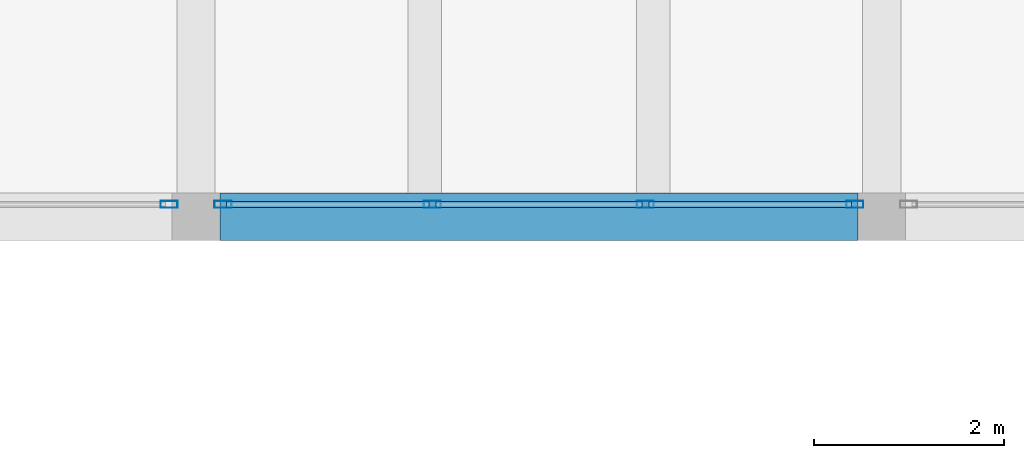
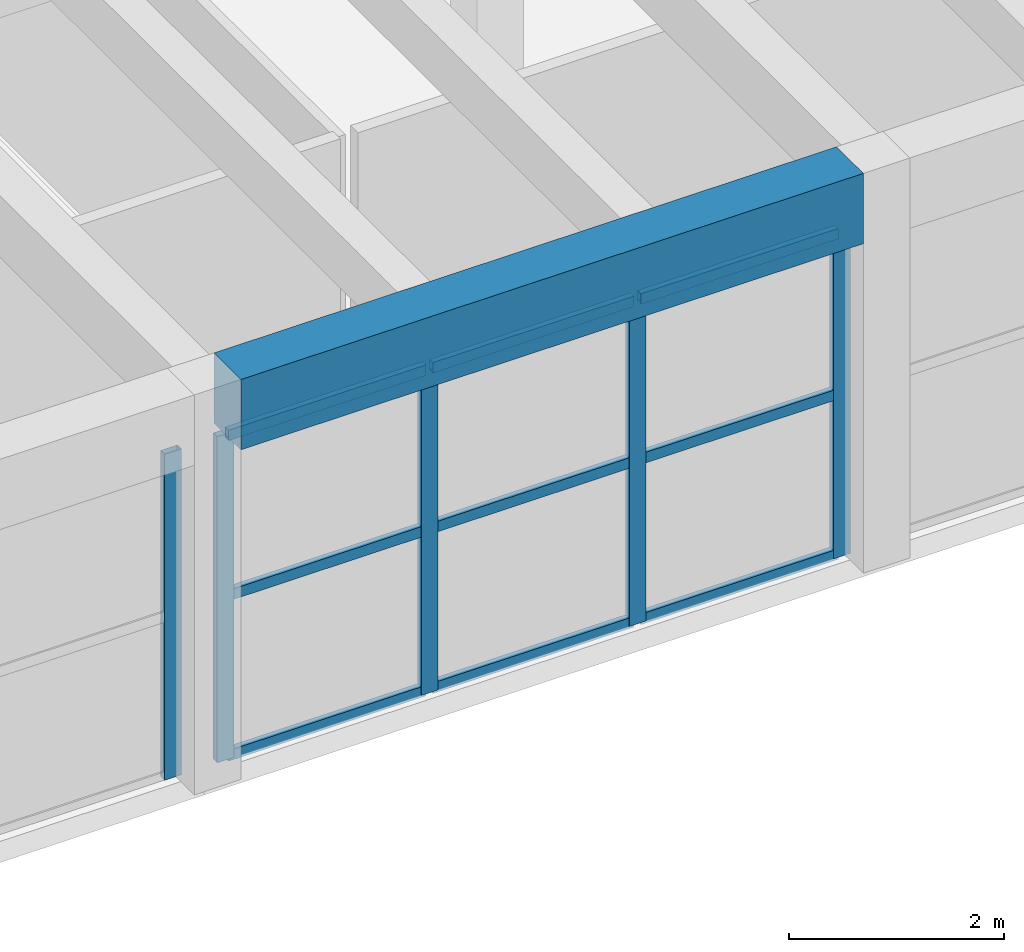
# One storey, part 41 of 153: 14 members, 1 beam, 2 elements without a shape of their own.
"""IFC4 building model written with IfcOpenShell, lengths in metres."""

from ifc_helpers import new_model, si_unit, direction, frame, origin, origin_2d, place, context, subcontext, project, spatial, rectangle, hollow_rectangle, extrude, material, material_profile, profile_set, type_object, element, aggregate, save


model = new_model("IFC4")

# Units and contexts
model_context = context("Model", 3, precision=1e-05, world=origin(), true_north=direction((0.0, 1.0)))
body_context = subcontext(model_context, "Body", "Model", "MODEL_VIEW")
ifc_project = project(units=[si_unit("LENGTHUNIT", "METRE"), si_unit("AREAUNIT", "SQUARE_METRE"), si_unit("VOLUMEUNIT", "CUBIC_METRE"), si_unit("PLANEANGLEUNIT", "RADIAN"), si_unit("MASSUNIT", "GRAM", prefix="KILO")], contexts=[model_context])

# Site, building, storey
site_placement = place(None, origin())
site = spatial("IfcSite", under=ifc_project, at=site_placement, CompositionType="ELEMENT")
building_placement = place(site_placement, origin())
building = spatial("IfcBuilding", under=site, at=building_placement, Name="Bramvelor Terrace Health Centre", CompositionType="ELEMENT")
storey_placement = place(building_placement, frame((0.0, 0.0, 4.800048828125)))
storey = spatial("IfcBuildingStorey", under=building, at=storey_placement, Name="L02", CompositionType="ELEMENT", Elevation=4.800048828125)

# Beam
ifc_material_1 = material(Name="Concrete C40/50", Category="concrete")
ifc_material_profile_1 = material_profile(ifc_material_1, rectangle(XDim=0.5, YDim=0.800048828125, at=origin_2d()), Name="RC 500x800")
ifc_profile_set_1 = profile_set([ifc_material_profile_1], Name="Concrete C40/50")
beam_type = type_object("IfcBeamType", Name="BM-RC-G800", PredefinedType="BEAM", material=ifc_profile_set_1)
beam_placement = place(storey_placement, frame((65.050048828125, 64.800048828125, 4.14990234375), z_axis=(1.0, 0.0, 0.0), x_axis=(0.0, 1.0, 0.0)))
element("IfcBeam", 1, at=beam_placement, inside=storey, type_object=beam_type, Name="L02 Floor Girder", PredefinedType="BEAM", context=body_context, shape_type="SweptSolid", body=[
    extrude(rectangle(XDim=0.5, YDim=0.800048828125, at=origin_2d()), origin(), (0.0, 0.0, 1.0), 6.699951171875),
])

# Curtain wall, members
ifc_material_2 = material(Name="Anodized aluminium and double low-E glass", Category="aluminium")
curtain_wall_type = type_object("IfcCurtainWallType", Name="CW-SYS-17", PredefinedType="NOTDEFINED", material=ifc_material_2)
curtain_wall_1_placement = place(storey_placement, origin())
curtain_wall_1 = element("IfcCurtainWall", 2, at=curtain_wall_1_placement, inside=storey, type_object=curtain_wall_type, Name="L02 Unitized Curtain Wall 141", PredefinedType="NOTDEFINED")
ifc_material_3 = material(Name="Anodized aluminium 6063-T6", Category="aluminium")
ifc_material_profile_2 = material_profile(ifc_material_3, hollow_rectangle(XDim=0.074951171875, YDim=0.179931640625, WallThickness=0.00341796875, at=origin_2d()), Name="ALU-MUL 75x180x3.5")
ifc_profile_set_2 = profile_set([ifc_material_profile_2], Name="Anodized aluminium 6063-T6")
member_type_1 = type_object("IfcMemberType", Name="CW-MUL-65x180", PredefinedType="MULLION", material=ifc_profile_set_2)
member_1_placement = place(storey_placement, frame((71.717529296875, 64.929931640625, 0.0), z_axis=(0.0, 0.0, 1.0), x_axis=(0.0, -1.0, 0.0)))
member_1 = element("IfcMember", 3, at=member_1_placement, type_object=member_type_1, Name="CW-17 mullion 1", PredefinedType="MULLION", context=body_context, shape_type="SweptSolid", body=[
    extrude(hollow_rectangle(XDim=0.074951171875, YDim=0.179931640625, WallThickness=0.00341796875, at=origin_2d()), origin(), (0.0, 0.0, 1.0), 3.7099609375),
])
member_2_placement = place(storey_placement, frame((69.518310546875, 64.929931640625, 0.0), z_axis=(0.0, 0.0, 1.0), x_axis=(0.0, -1.0, 0.0)))
member_2 = element("IfcMember", 4, at=member_2_placement, type_object=member_type_1, Name="CW-17 mullion 2", PredefinedType="MULLION", context=body_context, shape_type="SweptSolid", body=[
    extrude(hollow_rectangle(XDim=0.074951171875, YDim=0.179931640625, WallThickness=0.00341796875, at=origin_2d()), origin(), (0.0, 0.0, 1.0), 3.7099609375),
])
member_3_placement = place(storey_placement, frame((67.28173828125, 64.929931640625, 0.0), z_axis=(0.0, 0.0, 1.0), x_axis=(0.0, -1.0, 0.0)))
member_3 = element("IfcMember", 5, at=member_3_placement, type_object=member_type_1, Name="CW-17 mullion 3", PredefinedType="MULLION", context=body_context, shape_type="SweptSolid", body=[
    extrude(hollow_rectangle(XDim=0.074951171875, YDim=0.179931640625, WallThickness=0.00341796875, at=origin_2d()), origin(), (0.0, 0.0, 1.0), 3.7099609375),
])
member_4_placement = place(storey_placement, frame((65.08251953125, 64.929931640625, 0.0), z_axis=(0.0, 0.0, 1.0), x_axis=(0.0, -1.0, 0.0)))
member_4 = element("IfcMember", 6, at=member_4_placement, type_object=member_type_1, Name="CW-17 mullion 4", PredefinedType="MULLION", context=body_context, shape_type="SweptSolid", body=[
    extrude(hollow_rectangle(XDim=0.074951171875, YDim=0.179931640625, WallThickness=0.00341796875, at=origin_2d()), origin(), (0.0, 0.0, 1.0), 3.7099609375),
])

# Curtain wall, member
curtain_wall_2_placement = place(storey_placement, origin())
curtain_wall_2 = element("IfcCurtainWall", 7, at=curtain_wall_2_placement, inside=storey, type_object=curtain_wall_type, Name="L02 Unitized Curtain Wall 142", PredefinedType="NOTDEFINED")
member_5_placement = place(storey_placement, frame((64.517578125, 64.929931640625, 0.0), z_axis=(0.0, 0.0, 1.0), x_axis=(0.0, -1.0, 0.0)))
member_5 = element("IfcMember", 8, at=member_5_placement, type_object=member_type_1, Name="CW-17 mullion 1", PredefinedType="MULLION", context=body_context, shape_type="SweptSolid", body=[
    extrude(hollow_rectangle(XDim=0.074951171875, YDim=0.179931640625, WallThickness=0.00341796875, at=origin_2d()), origin(), (0.0, 0.0, 1.0), 3.7099609375),
])
aggregate(curtain_wall_2, [member_5])

# Member
ifc_material_4 = material(Name="Anodized aluminium 6063-T6", Category="aluminium")
ifc_material_profile_3 = material_profile(ifc_material_4, hollow_rectangle(XDim=0.06494140625, YDim=0.1201171875, WallThickness=0.0029296875, at=origin_2d()), Name="ALU-TRN 65x120x3.0")
ifc_profile_set_3 = profile_set([ifc_material_profile_3], Name="Anodized aluminium 6063-T6")
member_type_2 = type_object("IfcMemberType", Name="CW-TRN-65x150", PredefinedType="USERDEFINED", material=ifc_profile_set_3)
member_6_placement = place(storey_placement, frame((71.679931640625, 64.929931640625, 0.032470703125), z_axis=(-1.0, 0.0, 0.0), x_axis=(0.0, -1.0, 0.0)))
member_6 = element("IfcMember", 9, at=member_6_placement, type_object=member_type_2, Name="CW-17 transom 1.1", ObjectType="TRANSOM", PredefinedType="USERDEFINED", context=body_context, shape_type="SweptSolid", body=[
    extrude(hollow_rectangle(XDim=0.06494140625, YDim=0.1201171875, WallThickness=0.0029296875, at=origin_2d()), origin(), (0.0, 0.0, 1.0), 2.1240234375),
])

member_7_placement = place(storey_placement, frame((71.679931640625, 64.929931640625, 1.85498046875), z_axis=(-1.0, 0.0, 0.0), x_axis=(0.0, -1.0, 0.0)))
member_7 = element("IfcMember", 10, at=member_7_placement, type_object=member_type_2, Name="CW-17 transom 1.2", ObjectType="TRANSOM", PredefinedType="USERDEFINED", context=body_context, shape_type="SweptSolid", body=[
    extrude(hollow_rectangle(XDim=0.06494140625, YDim=0.1201171875, WallThickness=0.0029296875, at=origin_2d()), origin(), (0.0, 0.0, 1.0), 2.1240234375),
])

member_8_placement = place(storey_placement, frame((71.679931640625, 64.929931640625, 3.677490234375), z_axis=(-1.0, 0.0, 0.0), x_axis=(0.0, -1.0, 0.0)))
member_8 = element("IfcMember", 11, at=member_8_placement, type_object=member_type_2, Name="CW-17 transom 1.3", ObjectType="TRANSOM", PredefinedType="USERDEFINED", context=body_context, shape_type="SweptSolid", body=[
    extrude(hollow_rectangle(XDim=0.06494140625, YDim=0.1201171875, WallThickness=0.0029296875, at=origin_2d()), origin(), (0.0, 0.0, 1.0), 2.1240234375),
])

member_9_placement = place(storey_placement, frame((69.480712890625, 64.929931640625, 0.032470703125), z_axis=(-1.0, 0.0, 0.0), x_axis=(0.0, -1.0, 0.0)))
member_9 = element("IfcMember", 12, at=member_9_placement, type_object=member_type_2, Name="CW-17 transom 2.1", ObjectType="TRANSOM", PredefinedType="USERDEFINED", context=body_context, shape_type="SweptSolid", body=[
    extrude(hollow_rectangle(XDim=0.06494140625, YDim=0.1201171875, WallThickness=0.0029296875, at=origin_2d()), origin(), (0.0, 0.0, 1.0), 2.16162109375),
])

member_10_placement = place(storey_placement, frame((69.480712890625, 64.929931640625, 1.85498046875), z_axis=(-1.0, 0.0, 0.0), x_axis=(0.0, -1.0, 0.0)))
member_10 = element("IfcMember", 13, at=member_10_placement, type_object=member_type_2, Name="CW-17 transom 2.2", ObjectType="TRANSOM", PredefinedType="USERDEFINED", context=body_context, shape_type="SweptSolid", body=[
    extrude(hollow_rectangle(XDim=0.06494140625, YDim=0.1201171875, WallThickness=0.0029296875, at=origin_2d()), origin(), (0.0, 0.0, 1.0), 2.16162109375),
])

member_11_placement = place(storey_placement, frame((69.480712890625, 64.929931640625, 3.677490234375), z_axis=(-1.0, 0.0, 0.0), x_axis=(0.0, -1.0, 0.0)))
member_11 = element("IfcMember", 14, at=member_11_placement, type_object=member_type_2, Name="CW-17 transom 2.3", ObjectType="TRANSOM", PredefinedType="USERDEFINED", context=body_context, shape_type="SweptSolid", body=[
    extrude(hollow_rectangle(XDim=0.06494140625, YDim=0.1201171875, WallThickness=0.0029296875, at=origin_2d()), origin(), (0.0, 0.0, 1.0), 2.16162109375),
])

member_12_placement = place(storey_placement, frame((67.244140625, 64.929931640625, 0.032470703125), z_axis=(-1.0, 0.0, 0.0), x_axis=(0.0, -1.0, 0.0)))
member_12 = element("IfcMember", 15, at=member_12_placement, type_object=member_type_2, Name="CW-17 transom 3.1", ObjectType="TRANSOM", PredefinedType="USERDEFINED", context=body_context, shape_type="SweptSolid", body=[
    extrude(hollow_rectangle(XDim=0.06494140625, YDim=0.1201171875, WallThickness=0.0029296875, at=origin_2d()), origin(), (0.0, 0.0, 1.0), 2.1240234375),
])

member_13_placement = place(storey_placement, frame((67.244140625, 64.929931640625, 1.85498046875), z_axis=(-1.0, 0.0, 0.0), x_axis=(0.0, -1.0, 0.0)))
member_13 = element("IfcMember", 16, at=member_13_placement, type_object=member_type_2, Name="CW-17 transom 3.2", ObjectType="TRANSOM", PredefinedType="USERDEFINED", context=body_context, shape_type="SweptSolid", body=[
    extrude(hollow_rectangle(XDim=0.06494140625, YDim=0.1201171875, WallThickness=0.0029296875, at=origin_2d()), origin(), (0.0, 0.0, 1.0), 2.1240234375),
])

member_14_placement = place(storey_placement, frame((67.244140625, 64.929931640625, 3.677490234375), z_axis=(-1.0, 0.0, 0.0), x_axis=(0.0, -1.0, 0.0)))
member_14 = element("IfcMember", 17, at=member_14_placement, type_object=member_type_2, Name="CW-17 transom 3.3", ObjectType="TRANSOM", PredefinedType="USERDEFINED", context=body_context, shape_type="SweptSolid", body=[
    extrude(hollow_rectangle(XDim=0.06494140625, YDim=0.1201171875, WallThickness=0.0029296875, at=origin_2d()), origin(), (0.0, 0.0, 1.0), 2.1240234375),
])

aggregate(curtain_wall_1, [member_1, member_2, member_3, member_4, member_6, member_7, member_8, member_9, member_10, member_11, member_12, member_13, member_14])

save(model, "model.ifc")
